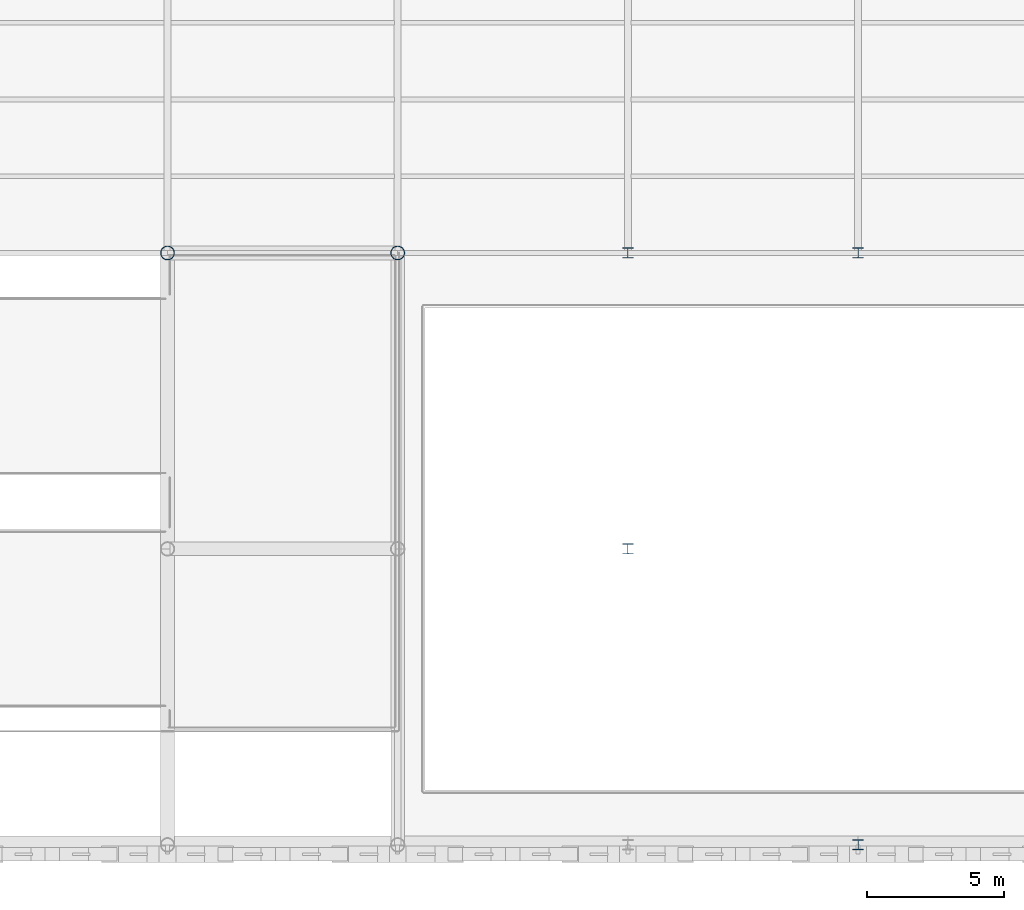
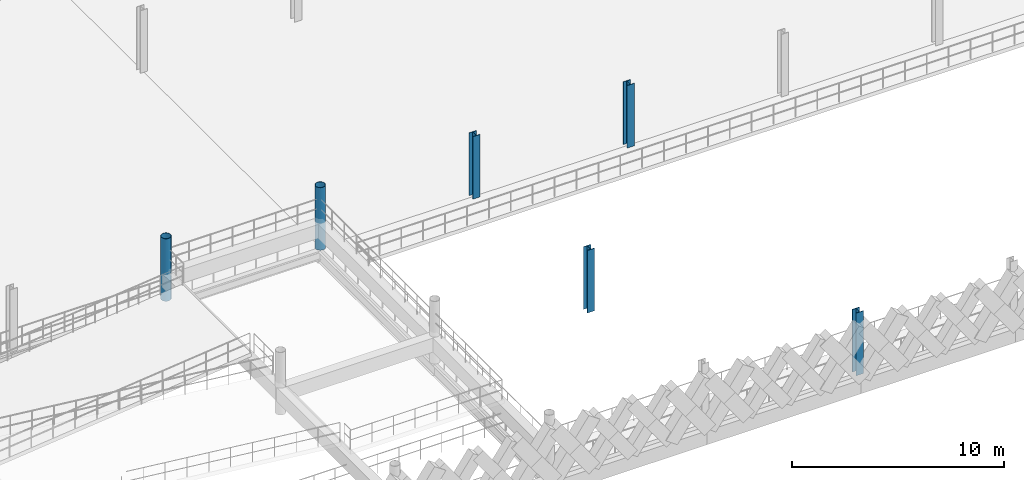
# One storey, part 2 of 101: 6 columns.
"""IFC4 building model written with IfcOpenShell, lengths in metres."""

from ifc_helpers import new_model, si_unit, direction, frame, origin, origin_2d, place, context, subcontext, project, spatial, hollow_circle, i_section, extrude, material, material_profile, profile_set, type_object, element, save


model = new_model("IFC4")

# Units and contexts
model_context = context("Model", 3, precision=1e-05, world=origin(), true_north=direction((0.0, 1.0)))
body_context = subcontext(model_context, "Body", "Model", "MODEL_VIEW")
ifc_project = project(units=[si_unit("LENGTHUNIT", "METRE"), si_unit("AREAUNIT", "SQUARE_METRE"), si_unit("VOLUMEUNIT", "CUBIC_METRE"), si_unit("PLANEANGLEUNIT", "RADIAN"), si_unit("MASSUNIT", "GRAM", prefix="KILO"), si_unit("THERMODYNAMICTEMPERATUREUNIT", "KELVIN"), si_unit("POWERUNIT", "WATT")], contexts=[model_context])

# Site, building, storey
site_placement = place(None, origin())
site = spatial("IfcSite", under=ifc_project, at=site_placement, CompositionType="ELEMENT")
building_placement = place(site_placement, origin())
building = spatial("IfcBuilding", under=site, at=building_placement, Name="Tembeka Court Mobility Hub", CompositionType="ELEMENT")
storey_placement = place(building_placement, frame((0.0, 0.0, 5.39990234375)))
storey = spatial("IfcBuildingStorey", under=building, at=storey_placement, Name="L01", CompositionType="ELEMENT", Elevation=5.39990234375)

# Columns
ifc_material = material(Name="Steel S355", Category="steel")
ifc_material_profile_1 = material_profile(ifc_material, i_section(OverallWidth=0.39501953125, OverallDepth=0.381103515625, WebThickness=0.018310546875, FlangeThickness=0.0302734375, FilletRadius=0.01513671875, at=origin_2d()), Name="UKC 356x406x235")
ifc_profile_set_1 = profile_set([ifc_material_profile_1], Name="Steel S355")
column_type_1 = type_object("IfcColumnType", Name="COL-C02", PredefinedType="COLUMN", material=ifc_profile_set_1)
for number, where, z_axis, x_axis, name in (
    (1, (50.39990234375, 10.800048828125, 0.0), (0.0, 0.0, 1.0), (1.0, 0.0, 0.0), "Column C02 (L01-072)"),
    (2, (50.39990234375, 21.60009765625, 0.0), (0.0, 0.0, 1.0), (1.0, 0.0, 0.0), "Column C02 (L01-073)"),
    (3, (58.800048828125, 0.0, 0.0), (0.0, 0.0, 1.0), (1.0, 0.0, 0.0), "Column C02 (L01-083)"),
    (4, (58.800048828125, 21.60009765625, 0.0), (0.0, 0.0, 1.0), (1.0, 0.0, 0.0), "Column C02 (L01-084)"),
):
    element("IfcColumn", number, at=place(storey_placement, frame(where, z_axis=z_axis, x_axis=x_axis)), inside=storey, type_object=column_type_1, Name=name, PredefinedType="COLUMN", context=body_context, shape_type="SweptSolid", body=[
        extrude(i_section(OverallWidth=0.39501953125, OverallDepth=0.381103515625, WebThickness=0.018310546875, FlangeThickness=0.0302734375, FilletRadius=0.01513671875, at=origin_2d()), origin(), (0.0, 0.0, 1.0), 3.60009765625),
    ])
ifc_material_profile_2 = material_profile(ifc_material, hollow_circle(Radius=0.25390625, WallThickness=0.01611328125, at=origin_2d()), Name="CHS 508x16")
ifc_profile_set_2 = profile_set([ifc_material_profile_2], Name="Steel S355")
column_type_2 = type_object("IfcColumnType", Name="COL-C08", PredefinedType="COLUMN", material=ifc_profile_set_2)
for number, where, z_axis, x_axis, name in (
    (5, (33.60009765625, 21.60009765625, 0.0), (0.0, 0.0, 1.0), (1.0, 0.0, 0.0), "Column C08 (L01-049)"),
    (6, (42.0, 21.60009765625, 0.0), (0.0, 0.0, 1.0), (1.0, 0.0, 0.0), "Column C08 (L01-061)"),
):
    element("IfcColumn", number, at=place(storey_placement, frame(where, z_axis=z_axis, x_axis=x_axis)), inside=storey, type_object=column_type_2, Name=name, PredefinedType="COLUMN", context=body_context, shape_type="SweptSolid", body=[
        extrude(hollow_circle(Radius=0.25390625, WallThickness=0.01611328125, at=origin_2d()), origin(), (0.0, 0.0, 1.0), 3.60009765625),
    ])

save(model, "model.ifc")
